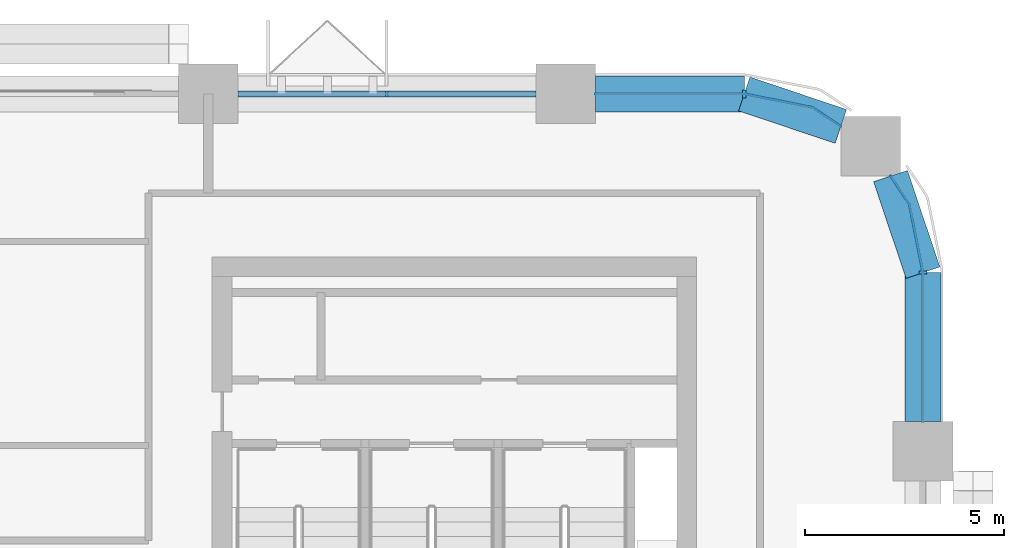
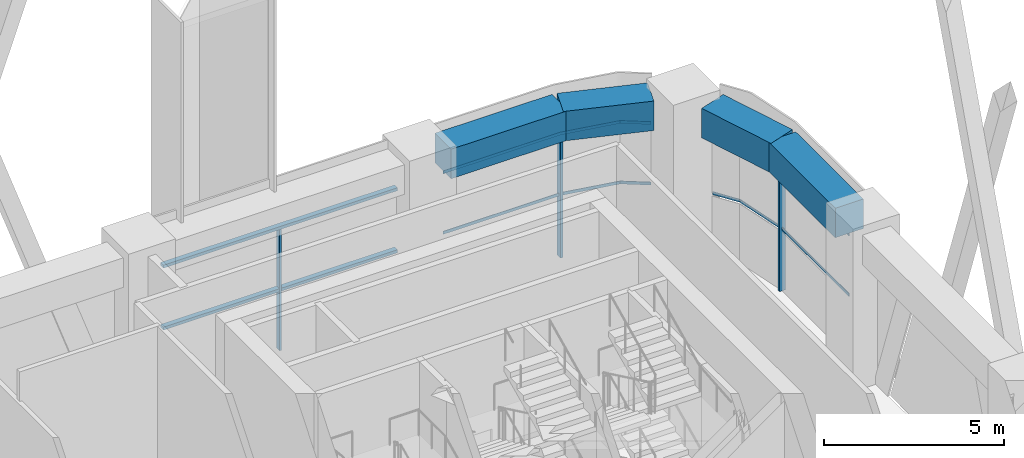
# One storey, part 9 of 22: 9 members, 4 beams, 3 elements without a shape of their own.
"""IFC4 building model written with IfcOpenShell, lengths in metres."""

import ifcopenshell
import ifcopenshell.guid

model = None  # the IFC model being written
_history = None  # IfcOwnerHistory: only IFC2X3 demands one
_inside = {}  # id of a spatial element -> (the spatial element, [elements in it])
_under = {}  # id of a project, library or spatial element -> (it, [spatial elements below it])
_declared = {}  # id of a project -> (the project, [libraries it declares])
_typed = {}  # id of a type object -> (the type object, [elements of that type])
_made_of = {}  # id of a material, layer set ... -> (it, [elements and type objects made of it])


def new_model(schema):
    """Start an empty IFC model of exactly this schema.

    Asked for "IFC4X3", IfcOpenShell would pick the latest addendum, in which some entities
    have other attributes; the version numbers below select the first issue.
    IFC2X3 requires an IfcOwnerHistory on every rooted entity: one is made here for all.
    """
    global model, _history
    if schema == "IFC4X3":
        model = ifcopenshell.file(schema_version=(4, 3, 0, 0))
    else:
        model = ifcopenshell.file(schema=schema)
    _inside.clear()
    _under.clear()
    _declared.clear()
    _typed.clear()
    _made_of.clear()
    _history = None
    if model.schema == "IFC2X3":
        org = make("IfcOrganization", Name="unknown")
        user = make(
            "IfcPersonAndOrganization",
            ThePerson=make("IfcPerson", FamilyName="unknown"),
            TheOrganization=org,
        )
        app = make(
            "IfcApplication",
            ApplicationDeveloper=org,
            Version="unknown",
            ApplicationFullName="unknown",
            ApplicationIdentifier="unknown",
        )
        _history = make(
            "IfcOwnerHistory",
            OwningUser=user,
            OwningApplication=app,
            ChangeAction="ADDED",
            CreationDate=0,
        )
    return model


def make(cls, **values):
    """One entity of the class cls with the attributes given. An attribute that is None is left unset."""
    return model.create_entity(
        cls, **{name: value for name, value in values.items() if value is not None}
    )


def rooted(cls, **values):
    """An entity with a GlobalId (a new one), such as an element, a storey or a relation."""
    return make(cls, GlobalId=ifcopenshell.guid.new(), OwnerHistory=_history, **values)


def si_unit(unit_type, name, prefix=None):
    """IfcSIUnit, for example si_unit("LENGTHUNIT", "METRE", prefix="MILLI")."""
    return make("IfcSIUnit", UnitType=unit_type, Prefix=prefix, Name=name)


def assignment(units):
    """IfcUnitAssignment: the units of a project."""
    return None if units is None else make("IfcUnitAssignment", Units=units)


def point(xyz):
    """IfcCartesianPoint."""
    return None if xyz is None else make("IfcCartesianPoint", Coordinates=xyz)


def direction(xyz):
    """IfcDirection."""
    return None if xyz is None else make("IfcDirection", DirectionRatios=xyz)


def frame(location, z_axis=None, x_axis=None):
    """IfcAxis2Placement3D, a coordinate frame: its origin and axes. An axis left out is left unset."""
    return make(
        "IfcAxis2Placement3D",
        Location=point(location),
        Axis=direction(z_axis),
        RefDirection=direction(x_axis),
    )


def frame_2d(location, x_axis=None):
    """IfcAxis2Placement2D, a coordinate frame in the plane: its origin and x axis."""
    return make(
        "IfcAxis2Placement2D", Location=point(location), RefDirection=direction(x_axis)
    )


def origin():
    """The frame at (0, 0, 0) with its axes left unset."""
    return frame((0.0, 0.0, 0.0))


def origin_2d():
    """The frame at (0, 0) in the plane with its x axis left unset."""
    return frame_2d((0.0, 0.0))


def place(relative_to, where):
    """IfcLocalPlacement: puts the frame where relative to a parent placement (None: the world)."""
    return make(
        "IfcLocalPlacement", PlacementRelTo=relative_to, RelativePlacement=where
    )


def context(
    kind, dimensions, precision=None, world=None, true_north=None, identifier=None
):
    """IfcGeometricRepresentationContext, for example the 3D "Model" context."""
    return make(
        "IfcGeometricRepresentationContext",
        ContextIdentifier=identifier,
        ContextType=kind,
        CoordinateSpaceDimension=dimensions,
        Precision=precision,
        WorldCoordinateSystem=world,
        TrueNorth=true_north,
    )


def subcontext(parent, identifier, kind, view, scale=None):
    """IfcGeometricRepresentationSubContext, for example "Body" below "Model"."""
    return make(
        "IfcGeometricRepresentationSubContext",
        ContextIdentifier=identifier,
        ContextType=kind,
        ParentContext=parent,
        TargetScale=scale,
        TargetView=view,
    )


def project(units=None, contexts=None):
    """IfcProject with its units and contexts."""
    return rooted(
        "IfcProject",
        Name="project",
        RepresentationContexts=contexts,
        UnitsInContext=assignment(units),
    )


def spatial(cls, under=None, at=None, **own):
    """A site, building, storey or space (cls), placed at a placement, below another one or the project."""
    s = rooted(cls, ObjectPlacement=at, **own)
    if under is not None:
        _under.setdefault(under.id(), (under, []))[1].append(s)
    return s


def polyline(points):
    """IfcPolyline through the points."""
    return make("IfcPolyline", Points=[point(p) for p in points])


def profile(cls, at=None, kind="AREA", **sizes):
    """A parametric profile (cls). Its sizes go by their IFC names, for example OverallWidth=200.0."""
    return make(cls, ProfileType=kind, Position=at, **sizes)


def rectangle(**sizes):
    """IfcRectangleProfileDef."""
    return profile("IfcRectangleProfileDef", **sizes)


def outline(outer, holes=None, kind="AREA"):
    """IfcArbitraryClosedProfileDef: a profile drawn as a closed curve; with holes, ...WithVoids."""
    if holes is None:
        return make("IfcArbitraryClosedProfileDef", ProfileType=kind, OuterCurve=outer)
    return make(
        "IfcArbitraryProfileDefWithVoids",
        ProfileType=kind,
        OuterCurve=outer,
        InnerCurves=holes,
    )


def extrude(swept, where, along, depth):
    """IfcExtrudedAreaSolid: the profile swept, set in the frame where, extruded along a direction by depth."""
    return make(
        "IfcExtrudedAreaSolid",
        SweptArea=swept,
        Position=where,
        ExtrudedDirection=direction(along),
        Depth=depth,
    )


def shape(context_of_items, identifier, shape_type, items):
    """IfcShapeRepresentation: the items that make up one representation, for example the "Body"."""
    return make(
        "IfcShapeRepresentation",
        ContextOfItems=context_of_items,
        RepresentationIdentifier=identifier,
        RepresentationType=shape_type,
        Items=items,
    )


def material(Name=None, Category=None):
    """IfcMaterial."""
    return make("IfcMaterial", Name=Name, Category=Category)


def material_profile(
    of_material, cross_section, Name=None, Category=None, Priority=None
):
    """IfcMaterialProfile: a cross section and its material."""
    return make(
        "IfcMaterialProfile",
        Name=Name,
        Material=of_material,
        Profile=cross_section,
        Priority=Priority,
        Category=Category,
    )


def profile_set(profiles, Name=None, composite=None):
    """IfcMaterialProfileSet."""
    return make(
        "IfcMaterialProfileSet",
        Name=Name,
        MaterialProfiles=profiles,
        CompositeProfile=composite,
    )


def made_of(thing, what):
    """Note that an element or type object is made of a material, layer set ...; save() writes the relation."""
    if what is not None:
        _made_of.setdefault(what.id(), (what, []))[1].append(thing)
    return thing


def type_object(cls, material=None, **own):
    """A type object (cls), such as IfcWallType, which elements share."""
    return made_of(rooted(cls, **own), material)


def element(
    cls,
    number,
    at=None,
    inside=None,
    cuts=None,
    type_object=None,
    material=None,
    context=None,
    identifier="Body",
    shape_type=None,
    held_by="IfcProductDefinitionShape",
    body=None,
    shapes=None,
    **own,
):
    """One element of the class cls, such as IfcWall. Its Tag is "e" and its number.

    at: its placement. inside: the storey or other place that contains it. cuts: it is an
    opening in that element (IfcRelVoidsElement). A single representation is given by context,
    identifier, shape_type and body (its items); several are given by shapes. held_by: the class
    of the entity that holds the representations. save() writes the other relations.
    """
    e = rooted(cls, Tag="e%d" % number, ObjectPlacement=at, **own)
    if body is not None:
        shapes = [shape(context, identifier, shape_type, body)]
    if shapes is not None:
        e.Representation = make(held_by, Representations=shapes)
    if inside is not None:
        _inside.setdefault(inside.id(), (inside, []))[1].append(e)
    if cuts is not None:
        rooted(
            "IfcRelVoidsElement", RelatingBuildingElement=cuts, RelatedOpeningElement=e
        )
    if type_object is not None:
        _typed.setdefault(type_object.id(), (type_object, []))[1].append(e)
    return made_of(e, material)


def aggregate(whole, parts):
    """IfcRelAggregates: a whole, such as a stair, and the parts it consists of."""
    return rooted("IfcRelAggregates", RelatingObject=whole, RelatedObjects=parts)


def save(model, path):
    """Write the relations noted so far, then the file.

    IfcRelAggregates (storeys below a building ...), IfcRelContainedInSpatialStructure (elements
    in a storey), IfcRelDefinesByType, IfcRelAssociatesMaterial and IfcRelDeclares: one each for
    every whole, place, type object, material and project.
    """
    for whole, parts in _under.values():
        aggregate(whole, parts)
    for where, things in _inside.values():
        rooted(
            "IfcRelContainedInSpatialStructure",
            RelatedElements=things,
            RelatingStructure=where,
        )
    for kind, things in _typed.values():
        rooted("IfcRelDefinesByType", RelatedObjects=things, RelatingType=kind)
    for what, things in _made_of.values():
        rooted("IfcRelAssociatesMaterial", RelatedObjects=things, RelatingMaterial=what)
    for by, libraries in _declared.values():
        rooted("IfcRelDeclares", RelatingContext=by, RelatedDefinitions=libraries)
    model.write(path)


model = new_model("IFC4")

# Units and contexts
model_context = context("Model", 3, precision=1e-05, world=origin(), true_north=direction((0.0, 1.0)))
body_context = subcontext(model_context, "Body", "Model", "MODEL_VIEW")
ifc_project = project(units=[si_unit("LENGTHUNIT", "METRE"), si_unit("AREAUNIT", "SQUARE_METRE"), si_unit("VOLUMEUNIT", "CUBIC_METRE"), si_unit("PLANEANGLEUNIT", "RADIAN"), si_unit("MASSUNIT", "GRAM", prefix="KILO")], contexts=[model_context])

# Site, building, storey
site_placement = place(None, origin())
site = spatial("IfcSite", under=ifc_project, at=site_placement, CompositionType="ELEMENT")
building_placement = place(site_placement, origin())
building = spatial("IfcBuilding", under=site, at=building_placement, Name="Tessera Arch", CompositionType="ELEMENT")
storey_placement = place(building_placement, frame((0.0, 0.0, 129.39990234375)))
storey = spatial("IfcBuildingStorey", under=building, at=storey_placement, Name="L30", CompositionType="ELEMENT", Elevation=129.39990234375)

# Curtain wall, members
ifc_material_1 = material(Name="CW1 curtain wall")
curtain_wall_type_1 = type_object("IfcCurtainWallType", Name="CW1 curtain wall", PredefinedType="NOTDEFINED", material=ifc_material_1)
curtain_wall_1_placement = place(storey_placement, origin())
curtain_wall_1 = element("IfcCurtainWall", 1, at=curtain_wall_1_placement, inside=storey, type_object=curtain_wall_type_1, Name="CW1 curtain wall N54.0/1 L30", PredefinedType="NOTDEFINED")
ifc_material_2 = material(Name="Anodised aluminium pale metal", Category="aluminium")
ifc_material_profile_1 = material_profile(ifc_material_2, rectangle(XDim=0.159912109375, YDim=0.06005859375, at=origin_2d()), Name="AL 60x160")
ifc_profile_set_1 = profile_set([ifc_material_profile_1], Name="Anodised aluminium pale metal")
member_type_1 = type_object("IfcMemberType", Name="CW1 mullion", PredefinedType="MULLION", material=ifc_profile_set_1)
member_1_placement = place(storey_placement, frame((40.5, 54.0, 0.0), z_axis=(0.0, 0.0, 1.0), x_axis=(0.0, -1.0, 0.0)))
member_1 = element("IfcMember", 2, at=member_1_placement, type_object=member_type_1, Name="CW1 mullion N54.0/1 1", PredefinedType="MULLION", context=body_context, shape_type="SweptSolid", body=[
    extrude(rectangle(XDim=0.159912109375, YDim=0.06005859375, at=origin_2d()), origin(), (0.0, 0.0, 1.0), 4.10009765625),
])
ifc_material_3 = material(Name="Anodised aluminium pale metal", Category="aluminium")
ifc_material_profile_2 = material_profile(ifc_material_3, rectangle(XDim=0.159912109375, YDim=0.10009765625, at=origin_2d()), Name="AL 160x100")
ifc_profile_set_2 = profile_set([ifc_material_profile_2], Name="Anodised aluminium pale metal")
member_type_2 = type_object("IfcMemberType", Name="CW1 transom", PredefinedType="USERDEFINED", material=ifc_profile_set_2)
member_2_placement = place(storey_placement, frame((44.25, 54.0, 4.150146484375), z_axis=(-1.0, 0.0, 0.0), x_axis=(0.0, -1.0, 0.0)))
member_2 = element("IfcMember", 3, at=member_2_placement, type_object=member_type_2, Name="CW1 transom N54.0/1 1.1", ObjectType="TRANSOM", PredefinedType="USERDEFINED", context=body_context, shape_type="SweptSolid", body=[
    extrude(rectangle(XDim=0.159912109375, YDim=0.10009765625, at=origin_2d()), origin(), (0.0, 0.0, 1.0), 7.5),
])
member_3_placement = place(storey_placement, frame((44.25, 54.0, 2.050048828125), z_axis=(-1.0, 0.0, 0.0), x_axis=(0.0, -1.0, 0.0)))
member_3 = element("IfcMember", 4, at=member_3_placement, type_object=member_type_2, Name="CW1 transom N54.0/1 2.1", ObjectType="TRANSOM", PredefinedType="USERDEFINED", context=body_context, shape_type="SweptSolid", body=[
    extrude(rectangle(XDim=0.159912109375, YDim=0.10009765625, at=origin_2d()), origin(), (0.0, 0.0, 1.0), 7.5),
])
aggregate(curtain_wall_1, [member_1, member_2, member_3])

# Curtain wall, member
ifc_material_4 = material(Name="CW2 curtain wall")
curtain_wall_type_2 = type_object("IfcCurtainWallType", Name="CW2 curtain wall", PredefinedType="NOTDEFINED", material=ifc_material_4)
curtain_wall_2_placement = place(storey_placement, origin())
curtain_wall_2 = element("IfcCurtainWall", 5, at=curtain_wall_2_placement, inside=storey, type_object=curtain_wall_type_2, Name="CW2 curtain wall E54.27/1 L30", PredefinedType="NOTDEFINED")
ifc_material_5 = material(Name="Anodised aluminium pale metal", Category="aluminium")
ifc_material_profile_3 = material_profile(ifc_material_5, rectangle(XDim=0.199951171875, YDim=0.080078125, at=origin_2d()), Name="AL 80x200")
ifc_profile_set_3 = profile_set([ifc_material_profile_3], Name="Anodised aluminium pale metal")
member_type_3 = type_object("IfcMemberType", Name="CW2 mullion", PredefinedType="MULLION", material=ifc_profile_set_3)
member_4_placement = place(storey_placement, frame((54.0, 49.5, 0.0), z_axis=(0.0, 0.0, 1.0), x_axis=(-1.0, 0.0, 0.0)))
member_4 = element("IfcMember", 6, at=member_4_placement, type_object=member_type_3, Name="CW2 mullion E54.27/1 1", PredefinedType="MULLION", context=body_context, shape_type="SweptSolid", body=[
    extrude(rectangle(XDim=0.199951171875, YDim=0.080078125, at=origin_2d()), origin(), (0.0, 0.0, 1.0), 4.10009765625),
])

curtain_wall_3_placement = place(storey_placement, origin())
curtain_wall_3 = element("IfcCurtainWall", 7, at=curtain_wall_3_placement, inside=storey, type_object=curtain_wall_type_2, Name="CW2 curtain wall N54.0/0 L30", PredefinedType="NOTDEFINED")
member_5_placement = place(storey_placement, frame((49.5, 54.0, 0.0), z_axis=(0.0, 0.0, 1.0), x_axis=(0.0, -1.0, 0.0)))
member_5 = element("IfcMember", 8, at=member_5_placement, type_object=member_type_3, Name="CW2 mullion N54.0/0 1", PredefinedType="MULLION", context=body_context, shape_type="SweptSolid", body=[
    extrude(rectangle(XDim=0.199951171875, YDim=0.080078125, at=origin_2d()), origin(), (0.0, 0.0, 1.0), 4.10009765625),
])

# Member
ifc_material_6 = material(Name="Anodised aluminium pale metal", Category="aluminium")
ifc_material_profile_4 = material_profile(ifc_material_6, rectangle(XDim=0.199951171875, YDim=0.10009765625, at=origin_2d()), Name="AL 200x100")
ifc_profile_set_4 = profile_set([ifc_material_profile_4], Name="Anodised aluminium pale metal")
member_type_4 = type_object("IfcMemberType", Name="CW2 transom", PredefinedType="USERDEFINED", material=ifc_profile_set_4)
member_6_placement = place(storey_placement, frame((0.0, 0.0, 2.050048828125)))
member_6 = element("IfcMember", 9, at=member_6_placement, type_object=member_type_4, Name="CW2 transom E54.27/1 1", ObjectType="TRANSOM", PredefinedType="USERDEFINED", context=body_context, shape_type="SweptSolid", body=[
    extrude(outline(polyline([(53.989990234375, 49.4990234375), (53.989990234375, 45.75), (54.010009765625, 45.75), (54.010009765625, 49.5009765625), (53.6669921875, 51.22607421875), (53.19140625, 51.9375), (53.1748046875, 51.926513671875), (53.648193359375, 51.21826171875), (53.989990234375, 49.4990234375)])), origin(), (0.0, 0.0, 1.0), 0.10009765625),
])

member_7_placement = place(storey_placement, frame((0.0, 0.0, 4.10009765625)))
member_7 = element("IfcMember", 10, at=member_7_placement, type_object=member_type_4, Name="CW2 transom E54.27/1 2", ObjectType="TRANSOM", PredefinedType="USERDEFINED", context=body_context, shape_type="SweptSolid", body=[
    extrude(outline(polyline([(53.989990234375, 49.4990234375), (53.989990234375, 45.75), (54.010009765625, 45.75), (54.010009765625, 49.5009765625), (53.6669921875, 51.22607421875), (53.19140625, 51.9375), (53.1748046875, 51.926513671875), (53.648193359375, 51.21826171875), (53.989990234375, 49.4990234375)])), origin(), (0.0, 0.0, 1.0), 0.10009765625),
])

aggregate(curtain_wall_2, [member_4, member_6, member_7])

member_8_placement = place(storey_placement, frame((0.0, 0.0, 2.050048828125)))
member_8 = element("IfcMember", 11, at=member_8_placement, type_object=member_type_4, Name="CW2 transom N54.0/0 1", ObjectType="TRANSOM", PredefinedType="USERDEFINED", context=body_context, shape_type="SweptSolid", body=[
    extrude(outline(polyline([(51.21826171875, 53.648193359375), (51.926513671875, 53.1748046875), (51.9375, 53.19140625), (51.22607421875, 53.6669921875), (49.5009765625, 54.010009765625), (45.75, 54.010009765625), (45.75, 53.989990234375), (49.4990234375, 53.989990234375), (51.21826171875, 53.648193359375)])), origin(), (0.0, 0.0, 1.0), 0.10009765625),
])

member_9_placement = place(storey_placement, frame((0.0, 0.0, 4.10009765625)))
member_9 = element("IfcMember", 12, at=member_9_placement, type_object=member_type_4, Name="CW2 transom N54.0/0 2", ObjectType="TRANSOM", PredefinedType="USERDEFINED", context=body_context, shape_type="SweptSolid", body=[
    extrude(outline(polyline([(51.21826171875, 53.648193359375), (51.926513671875, 53.1748046875), (51.9375, 53.19140625), (51.22607421875, 53.6669921875), (49.5009765625, 54.010009765625), (45.75, 54.010009765625), (45.75, 53.989990234375), (49.4990234375, 53.989990234375), (51.21826171875, 53.648193359375)])), origin(), (0.0, 0.0, 1.0), 0.10009765625),
])

aggregate(curtain_wall_3, [member_5, member_8, member_9])

# Beams
ifc_material_7 = material(Name="Concrete C70/85", Category="concrete")
ifc_material_profile_5 = material_profile(ifc_material_7, rectangle(XDim=0.89990234375, YDim=1.0, at=origin_2d()), Name="RC spandrel beam 900 x 1000 Concrete C70/85")
ifc_profile_set_5 = profile_set([ifc_material_profile_5], Name="Concrete C70/85")
beam_type = type_object("IfcBeamType", Name="RC spandrel beam 900 x 1000 Concrete C70/85", PredefinedType="BEAM", material=ifc_profile_set_5)
beam_1_placement = place(storey_placement, frame((54.0, 45.75, 4.7001953125), z_axis=(0.0, 1.0, 0.0), x_axis=(-1.0, 0.0, 0.0)))
element("IfcBeam", 13, at=beam_1_placement, inside=storey, type_object=beam_type, Name="Spandrel beam L30 E54.27/1.1", PredefinedType="BEAM", context=body_context, shape_type="SweptSolid", body=[
    extrude(rectangle(XDim=0.89990234375, YDim=1.0, at=origin_2d()), origin(), (0.0, 0.0, 1.0), 3.75),
])
for number, where, z_axis, x_axis, name in (
    (14, (54.0, 49.5, 4.7001953125), (-0.31842525032, 0.947947973234, 0.0), (-0.947947973234, -0.31842525032, 0.0), "Spandrel beam L30 E54.27/1.2"),
    (15, (51.931884765625, 53.18310546875, 4.7001953125), (-0.947947973234, 0.31842525032, 0.0), (-0.31842525032, -0.947947973234, 0.0), "Spandrel beam L30 N54.0/0.1"),
):
    element("IfcBeam", number, at=place(storey_placement, frame(where, z_axis=z_axis, x_axis=x_axis)), inside=storey, type_object=beam_type, Name=name, PredefinedType="BEAM", context=body_context, shape_type="SweptSolid", body=[
        extrude(rectangle(XDim=0.89990234375, YDim=1.0, at=origin_2d()), origin(), (0.0, 0.0, 1.0), 2.5654296875),
    ])
beam_2_placement = place(storey_placement, frame((49.5, 54.0, 4.7001953125), z_axis=(-1.0, 0.0, 0.0), x_axis=(0.0, -1.0, 0.0)))
element("IfcBeam", 16, at=beam_2_placement, inside=storey, type_object=beam_type, Name="Spandrel beam L30 N54.0/0.2", PredefinedType="BEAM", context=body_context, shape_type="SweptSolid", body=[
    extrude(rectangle(XDim=0.89990234375, YDim=1.0, at=origin_2d()), origin(), (0.0, 0.0, 1.0), 3.75),
])

save(model, "model.ifc")
